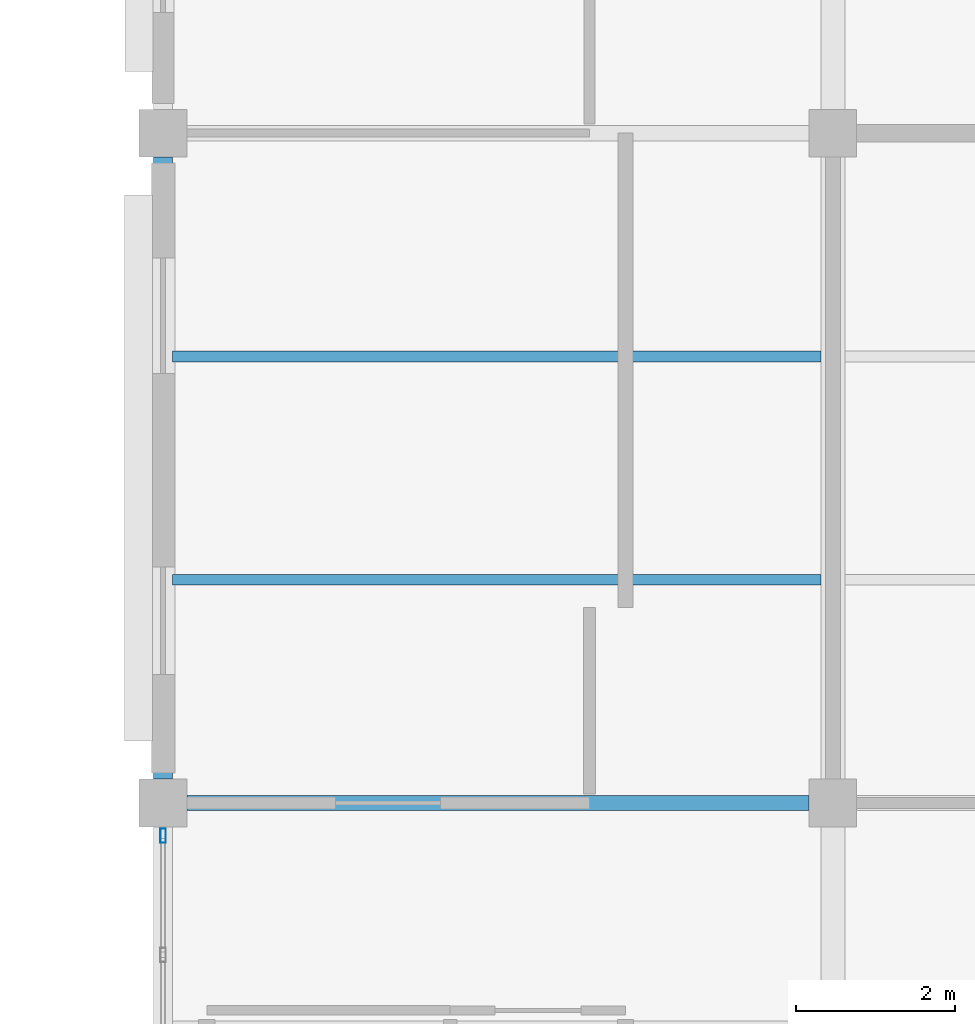
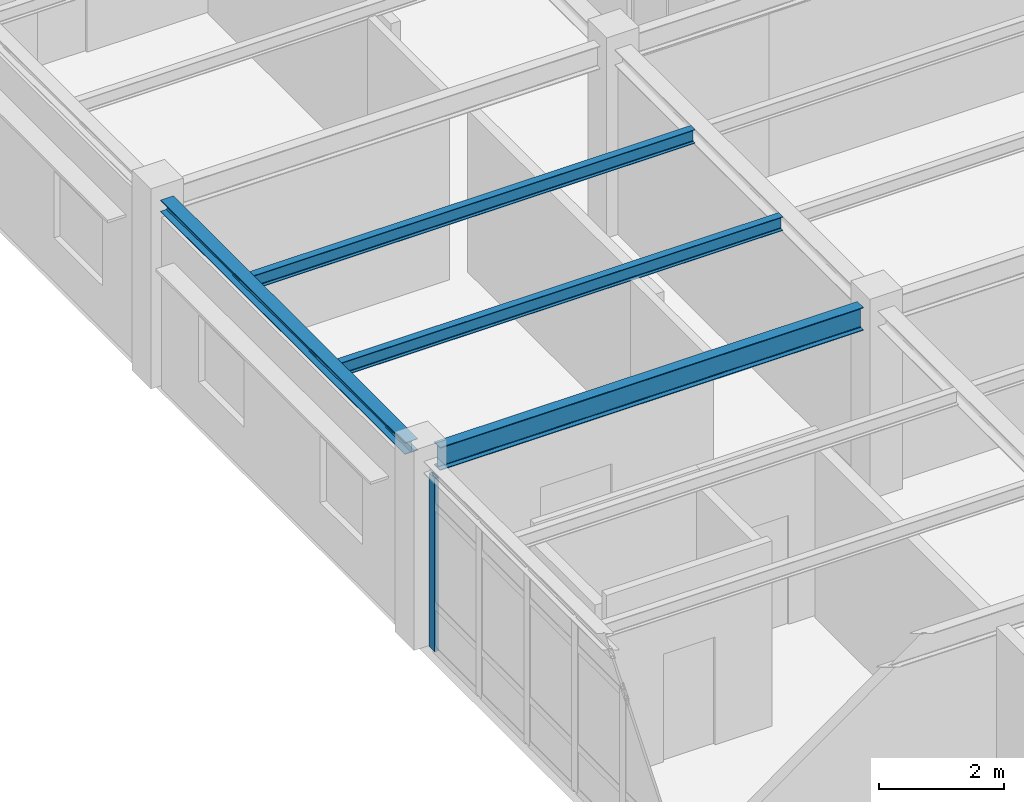
# One storey, part 4 of 70: 4 beams, 1 member, 1 element without a shape of its own.
"""IFC4 building model written with IfcOpenShell, lengths in metres."""

from ifc_helpers import new_model, si_unit, direction, frame, origin, origin_2d, place, context, subcontext, project, spatial, hollow_rectangle, i_section, extrude, material, layer, layer_set, material_profile, profile_set, type_object, element, aggregate, save


model = new_model("IFC4")

# Units and contexts
model_context = context("Model", 3, precision=1e-05, world=origin(), true_north=direction((0.0, 1.0)))
body_context = subcontext(model_context, "Body", "Model", "MODEL_VIEW")
ifc_project = project(units=[si_unit("LENGTHUNIT", "METRE"), si_unit("AREAUNIT", "SQUARE_METRE"), si_unit("VOLUMEUNIT", "CUBIC_METRE"), si_unit("PLANEANGLEUNIT", "RADIAN"), si_unit("MASSUNIT", "GRAM", prefix="KILO")], contexts=[model_context])

# Site, building, storey
site_placement = place(None, origin())
site = spatial("IfcSite", under=ifc_project, at=site_placement, CompositionType="ELEMENT")
building_placement = place(site_placement, origin())
building = spatial("IfcBuilding", under=site, at=building_placement, Name="Bramfleet General Hospital", CompositionType="ELEMENT")
storey_placement = place(building_placement, frame((0.0, 0.0, 22.5)))
storey = spatial("IfcBuildingStorey", under=building, at=storey_placement, Name="L05", CompositionType="ELEMENT", Elevation=22.5)

# Beams
ifc_material_1 = material(Name="Steel S355", Category="steel")
ifc_material_profile_1 = material_profile(ifc_material_1, i_section(OverallWidth=0.239990234375, OverallDepth=0.22998046875, WebThickness=0.007568359375, FlangeThickness=0.011962890625, FilletRadius=0.02099609375, at=origin_2d()), Name="HEA 240")
ifc_profile_set_1 = profile_set([ifc_material_profile_1], Name="Steel S355")
beam_type_1 = type_object("IfcBeamType", Name="BM-HEA240", PredefinedType="SPANDREL", material=ifc_profile_set_1)
beam_1_placement = place(storey_placement, frame((92.39990234375, 25.5, 3.5048828125), z_axis=(0.0, 1.0, 0.0), x_axis=(-1.0, 0.0, 0.0)))
element("IfcBeam", 1, at=beam_1_placement, inside=storey, type_object=beam_type_1, Name="L05 Grid Beam Y 11-03", PredefinedType="SPANDREL", context=body_context, shape_type="SweptSolid", body=[
    extrude(i_section(OverallWidth=0.239990234375, OverallDepth=0.22998046875, WebThickness=0.007568359375, FlangeThickness=0.011962890625, FilletRadius=0.02099609375, at=origin_2d()), origin(), (0.0, 0.0, 1.0), 7.800048828125),
])
ifc_material_profile_2 = material_profile(ifc_material_1, i_section(OverallWidth=0.135009765625, OverallDepth=0.27001953125, WebThickness=0.006591796875, FlangeThickness=0.01025390625, FilletRadius=0.014892578125, at=origin_2d()), Name="IPE 270")
ifc_profile_set_2 = profile_set([ifc_material_profile_2], Name="Steel S355")
beam_type_2 = type_object("IfcBeamType", Name="BM-IPE270", PredefinedType="JOIST", material=ifc_profile_set_2)
for number, where, z_axis, x_axis, name in (
    (2, (92.52001953125, 28.0, 3.485107421875), (1.0, 0.0, 0.0), (0.0, 1.0, 0.0), "L05 Secondary Joist 11-03-1"),
    (3, (92.52001953125, 30.800048828125, 3.485107421875), (1.0, 0.0, 0.0), (0.0, 1.0, 0.0), "L05 Secondary Joist 11-03-2"),
):
    element("IfcBeam", number, at=place(storey_placement, frame(where, z_axis=z_axis, x_axis=x_axis)), inside=storey, type_object=beam_type_2, Name=name, PredefinedType="JOIST", context=body_context, shape_type="SweptSolid", body=[
        extrude(i_section(OverallWidth=0.135009765625, OverallDepth=0.27001953125, WebThickness=0.006591796875, FlangeThickness=0.01025390625, FilletRadius=0.014892578125, at=origin_2d()), origin(), (0.0, 0.0, 1.0), 8.1298828125),
    ])
ifc_material_profile_3 = material_profile(ifc_material_1, i_section(OverallWidth=0.18994140625, OverallDepth=0.449951171875, WebThickness=0.009521484375, FlangeThickness=0.0146484375, FilletRadius=0.02099609375, at=origin_2d()), Name="IPE 450")
ifc_profile_set_3 = profile_set([ifc_material_profile_3], Name="Steel S355")
beam_type_3 = type_object("IfcBeamType", Name="BM-IPE450", PredefinedType="BEAM", material=ifc_profile_set_3)
beam_2_placement = place(storey_placement, frame((92.699951171875, 25.199951171875, 3.39501953125), z_axis=(1.0, 0.0, 0.0), x_axis=(0.0, 1.0, 0.0)))
element("IfcBeam", 4, at=beam_2_placement, inside=storey, type_object=beam_type_3, Name="L05 Grid Beam X 11-03", PredefinedType="BEAM", context=body_context, shape_type="SweptSolid", body=[
    extrude(i_section(OverallWidth=0.18994140625, OverallDepth=0.449951171875, WebThickness=0.009521484375, FlangeThickness=0.0146484375, FilletRadius=0.02099609375, at=origin_2d()), origin(), (0.0, 0.0, 1.0), 7.800048828125),
])

# Curtain wall, member
ifc_material_2 = material(Name="Anodised aluminium and low-E triple glazing", Category="aluminium")
ifc_layer = layer(ifc_material_2, 0.179931640625, Name="CWT-CW-13")
ifc_layer_set = layer_set([ifc_layer], Name="Anodised aluminium and low-E triple glazing")
curtain_wall_type = type_object("IfcCurtainWallType", Name="CWT-CW-13", PredefinedType="USERDEFINED", material=ifc_layer_set)
curtain_wall_placement = place(storey_placement, origin())
curtain_wall = element("IfcCurtainWall", 5, at=curtain_wall_placement, inside=storey, type_object=curtain_wall_type, Name="L05 Curtain Wall 211", ObjectType="Stick curtain wall", PredefinedType="USERDEFINED")
ifc_material_3 = material(Name="Anodised aluminium EN AW-6060", Category="aluminium")
ifc_material_profile_4 = material_profile(ifc_material_3, hollow_rectangle(XDim=0.070068359375, YDim=0.179931640625, WallThickness=0.00390625, at=origin_2d()), Name="ALU 180x70x4.0")
ifc_profile_set_4 = profile_set([ifc_material_profile_4], Name="Anodised aluminium EN AW-6060")
member_type = type_object("IfcMemberType", Name="CWM-ALU180", PredefinedType="MULLION", material=ifc_profile_set_4)
member_placement = place(storey_placement, frame((92.39990234375, 24.7900390625, 0.0), z_axis=(0.0, 0.0, 1.0), x_axis=(-1.0, 0.0, 0.0)))
member = element("IfcMember", 6, at=member_placement, type_object=member_type, Name="CW-13 mullion 6", PredefinedType="MULLION", context=body_context, shape_type="SweptSolid", body=[
    extrude(hollow_rectangle(XDim=0.070068359375, YDim=0.179931640625, WallThickness=0.00390625, at=origin_2d()), origin(), (0.0, 0.0, 1.0), 3.3798828125),
])
aggregate(curtain_wall, [member])

save(model, "model.ifc")
